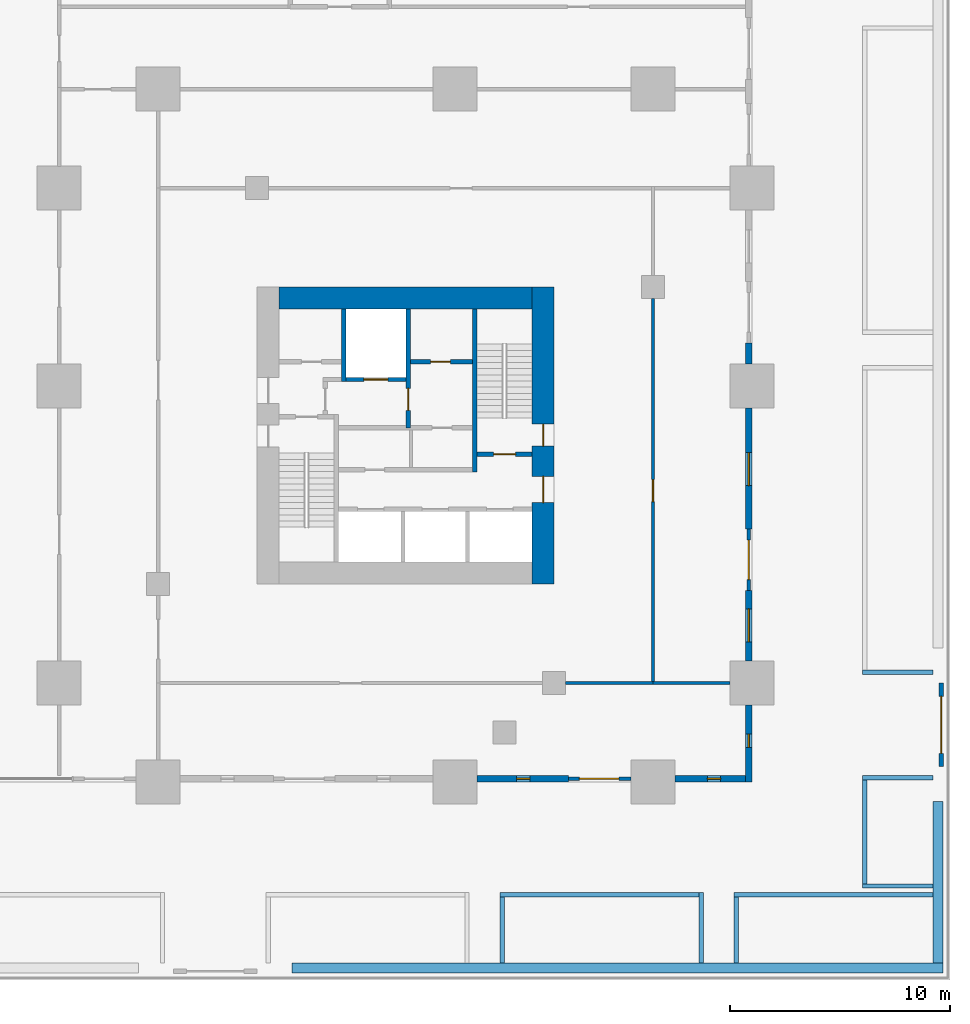
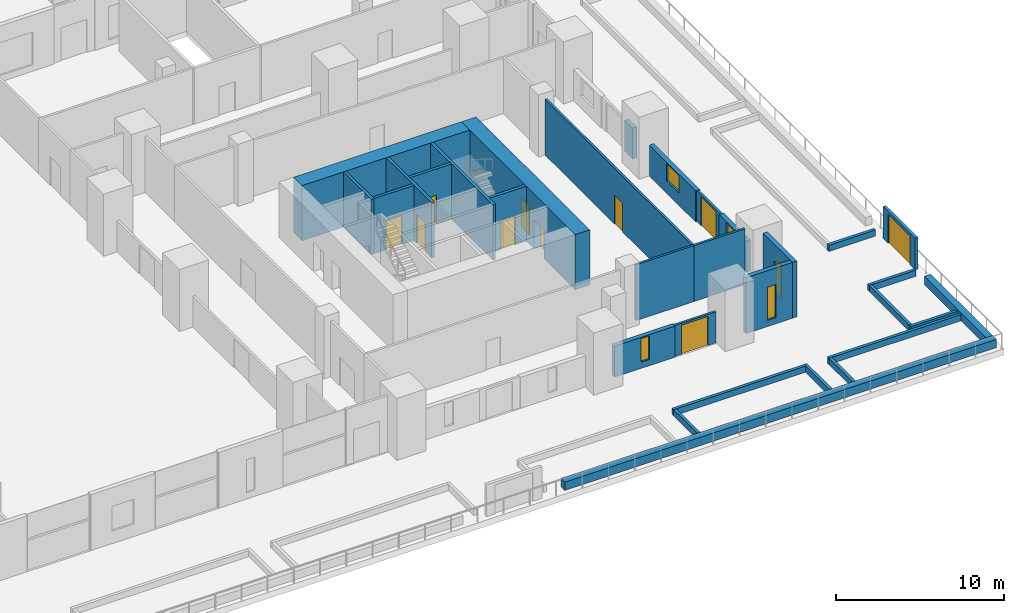
# One storey, part 22 of 26: 31 walls, 10 doors, 5 windows, 15 openings.
"""IFC4 building model written with IfcOpenShell, lengths in metres."""

from ifc_helpers import new_model, si_unit, direction, frame, frame_2d, origin, place, context, subcontext, project, spatial, rectangle, extrude, material, layer, layer_set, type_object, element, fill, save


model = new_model("IFC4")

# Units and contexts
model_context = context("Model", 3, precision=1e-05, world=origin(), true_north=direction((0.0, 1.0)))
body_context = subcontext(model_context, "Body", "Model", "MODEL_VIEW")
ifc_project = project(units=[si_unit("LENGTHUNIT", "METRE"), si_unit("AREAUNIT", "SQUARE_METRE"), si_unit("VOLUMEUNIT", "CUBIC_METRE"), si_unit("PLANEANGLEUNIT", "RADIAN"), si_unit("MASSUNIT", "GRAM", prefix="KILO")], contexts=[model_context])

# Site, building, storey
site_placement = place(None, origin())
site = spatial("IfcSite", under=ifc_project, at=site_placement, CompositionType="ELEMENT")
building_placement = place(site_placement, origin())
building = spatial("IfcBuilding", under=site, at=building_placement, Name="Altepetl Exchange Towers", CompositionType="ELEMENT")
storey_placement = place(building_placement, frame((0.0, 0.0, 16.5)))
storey = spatial("IfcBuildingStorey", under=building, at=storey_placement, Name="L03 Podium terrace", CompositionType="ELEMENT", Elevation=16.5)

# Wall, openings, doors
ifc_material_1 = material(Name="Concrete C70/85", Category="concrete")
ifc_layer_1 = layer(ifc_material_1, 1.0)
ifc_layer_set_1 = layer_set([ifc_layer_1], Name="Concrete C70/85")
wall_type_1 = type_object("IfcWallType", Name="Core wall 1000 reinforced concrete", PredefinedType="SHEAR", material=ifc_layer_set_1)
wall_1_placement = place(storey_placement, frame((116.5, 36.0, 0.0), z_axis=(0.0, 0.0, 1.0), x_axis=(0.0, 1.0, 0.0)))
wall_1 = element("IfcWall", 1, at=wall_1_placement, inside=storey, type_object=wall_type_1, Name="wall:B:L03:K-coreE", PredefinedType="SHEAR", context=body_context, shape_type="SweptSolid", body=[
    extrude(rectangle(XDim=13.5, YDim=1.0, at=frame_2d((6.75, 0.0))), origin(), (0.0, 0.0, 1.0), 4.0),
])
opening_1_placement = place(wall_1_placement, frame((3.699951171875, 0.0, 0.0)))
opening_1 = element("IfcOpeningElement", 2, at=opening_1_placement, cuts=wall_1, Name="Opening L03.B61", PredefinedType="OPENING", context=body_context, shape_type="SweptSolid", body=[
    extrude(rectangle(XDim=1.199951171875, YDim=2.10009765625, at=frame_2d((0.60009765625, 1.050048828125))), frame((0.0, 0.510009765625, 0.0), z_axis=(0.0, -1.0, 0.0), x_axis=(1.0, 0.0, 0.0)), (0.0, 0.0, 1.0), 1.02001953125),
])
opening_2_placement = place(wall_1_placement, frame((6.27490234375, 0.0, 0.0)))
opening_2 = element("IfcOpeningElement", 3, at=opening_2_placement, cuts=wall_1, Name="Opening L03.B65", PredefinedType="OPENING", context=body_context, shape_type="SweptSolid", body=[
    extrude(rectangle(XDim=1.0, YDim=2.10009765625, at=frame_2d((0.5, 1.050048828125))), frame((0.0, 0.510009765625, 0.0), z_axis=(0.0, -1.0, 0.0), x_axis=(1.0, 0.0, 0.0)), (0.0, 0.0, 1.0), 1.02001953125),
])
ifc_material_2 = material(Name="Steel and timber fire door", Category="steel")
door_type_1 = type_object("IfcDoorType", Name="Fire door 1000 x 2100 stair and lobby", OperationType="SINGLE_SWING_LEFT", PredefinedType="DOOR", material=ifc_material_2)
door_1_placement = place(opening_2_placement, origin())
door_1 = element("IfcDoor", 4, at=door_1_placement, inside=storey, type_object=door_type_1, Name="door:B:L03:K-dS2x", OperationType="SINGLE_SWING_LEFT", OverallHeight=2.10009765625, OverallWidth=1.0, PredefinedType="DOOR", context=body_context, shape_type="SweptSolid", body=[
    extrude(rectangle(XDim=1.0, YDim=2.10009765625, at=frame_2d((0.5, 1.050048828125))), frame((0.0, 0.02490234375, 0.0), z_axis=(0.0, -1.0, 0.0), x_axis=(1.0, 0.0, 0.0)), (0.0, 0.0, 1.0), 0.050048828125),
])
fill(opening_2, door_1)
door_type_2 = type_object("IfcDoorType", Name="Fire door 1200 x 2100 lobby entry", OperationType="SINGLE_SWING_LEFT", PredefinedType="DOOR", material=ifc_material_2)
door_2_placement = place(opening_1_placement, origin())
door_2 = element("IfcDoor", 5, at=door_2_placement, inside=storey, type_object=door_type_2, Name="door:B:L03:K-dLSE", OperationType="SINGLE_SWING_RIGHT", OverallHeight=2.10009765625, OverallWidth=1.199951171875, PredefinedType="DOOR", context=body_context, shape_type="SweptSolid", body=[
    extrude(rectangle(XDim=1.199951171875, YDim=2.10009765625, at=frame_2d((0.60009765625, 1.050048828125))), frame((0.0, 0.02490234375, 0.0), z_axis=(0.0, -1.0, 0.0), x_axis=(1.0, 0.0, 0.0)), (0.0, 0.0, 1.0), 0.050048828125),
])
fill(opening_1, door_2)

# Wall
wall_2_placement = place(storey_placement, frame((104.5, 49.0, 0.0)))
element("IfcWall", 6, at=wall_2_placement, inside=storey, type_object=wall_type_1, Name="wall:B:L03:K-coreN", PredefinedType="SHEAR", context=body_context, shape_type="SweptSolid", body=[
    extrude(rectangle(XDim=11.5, YDim=1.0, at=frame_2d((5.75, 0.0))), origin(), (0.0, 0.0, 1.0), 4.0),
])

# Wall, opening, door
ifc_material_3 = material(Name="Reinforced concrete C35/45", Category="concrete")
ifc_layer_2 = layer(ifc_material_3, 0.199951171875)
ifc_layer_set_2 = layer_set([ifc_layer_2], Name="Reinforced concrete C35/45")
wall_type_2 = type_object("IfcWallType", Name="Garden gate screen wall 200", PredefinedType="SOLIDWALL", material=ifc_layer_set_2)
wall_3_placement = place(storey_placement, frame((134.60009765625, 27.699951171875, 0.0), z_axis=(0.0, 0.0, 1.0), x_axis=(0.0, 1.0, 0.0)))
wall_3 = element("IfcWall", 7, at=wall_3_placement, inside=storey, type_object=wall_type_2, Name="wall:P:L03:gateR6", PredefinedType="SOLIDWALL", context=body_context, shape_type="SweptSolid", body=[
    extrude(rectangle(XDim=3.800048828125, YDim=0.199951171875, at=frame_2d((1.89990234375, 0.0))), origin(), (0.0, 0.0, 1.0), 2.300048828125),
])
opening_3_placement = place(wall_3_placement, frame((0.60009765625, 0.0, 0.0)))
opening_3 = element("IfcOpeningElement", 8, at=opening_3_placement, cuts=wall_3, Name="Opening L03.P025", PredefinedType="OPENING", context=body_context, shape_type="SweptSolid", body=[
    extrude(rectangle(XDim=2.60009765625, YDim=2.10009765625, at=frame_2d((1.300048828125, 1.050048828125))), frame((0.0, 0.10986328125, 0.0), z_axis=(0.0, -1.0, 0.0), x_axis=(1.0, 0.0, 0.0)), (0.0, 0.0, 1.0), 0.219970703125),
])
ifc_material_4 = material(Name="Painted steel bars and timber", Category="steel")
door_type_3 = type_object("IfcDoorType", Name="Garden gate 2600 x 2100 double leaf", OperationType="DOUBLE_DOOR_SINGLE_SWING", PredefinedType="GATE", material=ifc_material_4)
door_3_placement = place(opening_3_placement, frame((2.60009765625, 0.0, 0.0), x_axis=(-1.0, 0.0, 0.0)))
door_3 = element("IfcDoor", 9, at=door_3_placement, inside=storey, type_object=door_type_3, Name="door:P:L03:025", OperationType="DOUBLE_DOOR_SINGLE_SWING", OverallHeight=2.10009765625, OverallWidth=2.60009765625, PredefinedType="GATE", context=body_context, shape_type="SweptSolid", body=[
    extrude(rectangle(XDim=2.60009765625, YDim=2.10009765625, at=frame_2d((1.300048828125, 1.050048828125))), frame((0.0, 0.02490234375, 0.0), z_axis=(0.0, -1.0, 0.0), x_axis=(1.0, 0.0, 0.0)), (0.0, 0.0, 1.0), 0.050048828125),
])
fill(opening_3, door_3)

ifc_material_5 = material(Name="Aluminium composite cladding", Category="aluminium")
ifc_layer_3 = layer(ifc_material_5, 0.14990234375)
ifc_layer_set_3 = layer_set([ifc_layer_3], Name="Aluminium composite cladding")
wall_type_3 = type_object("IfcWallType", Name="Infill wall 150 aluminium panel", PredefinedType="SOLIDWALL", material=ifc_layer_set_3)
wall_4_placement = place(storey_placement, frame((117.64990234375, 27.14990234375, 0.0)))
wall_4 = element("IfcWall", 10, at=wall_4_placement, inside=storey, type_object=wall_type_3, Name="Door bay wall", PredefinedType="SOLIDWALL", context=body_context, shape_type="SweptSolid", body=[
    extrude(rectangle(XDim=2.85009765625, YDim=0.14990234375, at=frame_2d((1.425048828125, 0.0))), origin(), (0.0, 0.0, 1.0), 2.25),
])
opening_4_placement = place(wall_4_placement, frame((0.5, 0.0, 0.0)))
opening_4 = element("IfcOpeningElement", 11, at=opening_4_placement, cuts=wall_4, Name="Opening L03.E13", PredefinedType="OPENING", context=body_context, shape_type="SweptSolid", body=[
    extrude(rectangle(XDim=1.800048828125, YDim=2.10009765625, at=frame_2d((0.89990234375, 1.050048828125))), frame((0.0, 0.0849609375, 0.0), z_axis=(0.0, -1.0, 0.0), x_axis=(1.0, 0.0, 0.0)), (0.0, 0.0, 1.0), 0.169921875),
])
ifc_material_6 = material(Name="Aluminium 6063-T6 and glass", Category="aluminium")
door_type_4 = type_object("IfcDoorType", Name="Glazed door pair 1800x2100", OperationType="DOUBLE_DOOR_DOUBLE_SWING", PredefinedType="NOTDEFINED", material=ifc_material_6)
door_4_placement = place(opening_4_placement, frame((1.800048828125, 0.0, 0.0), x_axis=(-1.0, 0.0, 0.0)))
door_4 = element("IfcDoor", 12, at=door_4_placement, inside=storey, type_object=door_type_4, Name="Terrace door", OperationType="DOUBLE_DOOR_DOUBLE_SWING", OverallHeight=2.10009765625, OverallWidth=1.800048828125, PredefinedType="NOTDEFINED", context=body_context, shape_type="SweptSolid", body=[
    extrude(rectangle(XDim=1.800048828125, YDim=2.10009765625, at=frame_2d((0.89990234375, 1.050048828125))), frame((0.0, 0.02490234375, 0.0), z_axis=(0.0, -1.0, 0.0), x_axis=(1.0, 0.0, 0.0)), (0.0, 0.0, 1.0), 0.050048828125),
])
fill(opening_4, door_4)

wall_5_placement = place(storey_placement, frame((125.85009765625, 35.699951171875, 0.0), z_axis=(0.0, 0.0, 1.0), x_axis=(0.0, 1.0, 0.0)))
wall_5 = element("IfcWall", 13, at=wall_5_placement, inside=storey, type_object=wall_type_3, Name="Door bay wall", PredefinedType="SOLIDWALL", context=body_context, shape_type="SweptSolid", body=[
    extrude(rectangle(XDim=2.800048828125, YDim=0.14990234375, at=frame_2d((1.39990234375, 0.0))), origin(), (0.0, 0.0, 1.0), 2.25),
])
opening_5_placement = place(wall_5_placement, frame((0.5, 0.0, 0.0)))
opening_5 = element("IfcOpeningElement", 14, at=opening_5_placement, cuts=wall_5, Name="Opening L03.E14", PredefinedType="OPENING", context=body_context, shape_type="SweptSolid", body=[
    extrude(rectangle(XDim=1.800048828125, YDim=2.10009765625, at=frame_2d((0.89990234375, 1.050048828125))), frame((0.0, 0.0849609375, 0.0), z_axis=(0.0, -1.0, 0.0), x_axis=(1.0, 0.0, 0.0)), (0.0, 0.0, 1.0), 0.169921875),
])
door_5_placement = place(opening_5_placement, frame((1.800048828125, 0.0, 0.0), x_axis=(-1.0, 0.0, 0.0)))
door_5 = element("IfcDoor", 15, at=door_5_placement, inside=storey, type_object=door_type_4, Name="Terrace door", OperationType="DOUBLE_DOOR_DOUBLE_SWING", OverallHeight=2.10009765625, OverallWidth=1.800048828125, PredefinedType="NOTDEFINED", context=body_context, shape_type="SweptSolid", body=[
    extrude(rectangle(XDim=1.800048828125, YDim=2.10009765625, at=frame_2d((0.89990234375, 1.050048828125))), frame((0.0, 0.02490234375, 0.0), z_axis=(0.0, -1.0, 0.0), x_axis=(1.0, 0.0, 0.0)), (0.0, 0.0, 1.0), 0.050048828125),
])
fill(opening_5, door_5)

# Walls
ifc_material_7 = material(Name="Concrete C30/37", Category="concrete")
ifc_layer_4 = layer(ifc_material_7, 0.449951171875)
ifc_layer_set_4 = layer_set([ifc_layer_4], Name="Concrete C30/37")
wall_type_4 = type_object("IfcWallType", Name="Planter wall 450 concrete", PredefinedType="SOLIDWALL", material=ifc_layer_set_4)
wall_6_placement = place(storey_placement, frame((105.092529296875, 18.550048828125, 0.0)))
element("IfcWall", 16, at=wall_6_placement, inside=storey, type_object=wall_type_4, Name="Planter bed wall", PredefinedType="SOLIDWALL", context=body_context, shape_type="SweptSolid", body=[
    extrude(rectangle(XDim=29.58251953125, YDim=0.449951171875, at=frame_2d((14.791259765625, 0.0))), origin(), (0.0, 0.0, 1.0), 0.60009765625),
])
wall_7_placement = place(storey_placement, frame((134.449951171875, 18.77490234375, 0.0), z_axis=(0.0, 0.0, 1.0), x_axis=(0.0, 1.0, 0.0)))
element("IfcWall", 17, at=wall_7_placement, inside=storey, type_object=wall_type_4, Name="Planter bed wall", PredefinedType="SOLIDWALL", context=body_context, shape_type="SweptSolid", body=[
    extrude(rectangle(XDim=7.33251953125, YDim=0.449951171875, at=frame_2d((3.666259765625, 0.0))), origin(), (0.0, 0.0, 1.0), 0.60009765625),
])
ifc_layer_5 = layer(ifc_material_3, 0.199951171875)
ifc_layer_set_5 = layer_set([ifc_layer_5], Name="Reinforced concrete C35/45")
wall_type_5 = type_object("IfcWallType", Name="Planting bed curb 200", PredefinedType="SOLIDWALL", material=ifc_layer_set_5)
wall_8_placement = place(storey_placement, frame((123.683349609375, 18.77490234375, 0.0), z_axis=(0.0, 0.0, 1.0), x_axis=(0.0, 1.0, 0.0)))
element("IfcWall", 18, at=wall_8_placement, inside=storey, type_object=wall_type_5, Name="wall:P:L03:CB02e", PredefinedType="SOLIDWALL", context=body_context, shape_type="SweptSolid", body=[
    extrude(rectangle(XDim=3.2001953125, YDim=0.199951171875, at=frame_2d((1.60009765625, 0.0))), origin(), (0.0, 0.0, 1.0), 0.449951171875),
])
wall_9_placement = place(storey_placement, frame((114.541748046875, 21.875, 0.0)))
element("IfcWall", 19, at=wall_9_placement, inside=storey, type_object=wall_type_5, Name="wall:P:L03:CB02n", PredefinedType="SOLIDWALL", context=body_context, shape_type="SweptSolid", body=[
    extrude(rectangle(XDim=9.04150390625, YDim=0.199951171875, at=frame_2d((4.520751953125, 0.0))), origin(), (0.0, 0.0, 1.0), 0.449951171875),
])
wall_10_placement = place(storey_placement, frame((114.6416015625, 18.77490234375, 0.0), z_axis=(0.0, 0.0, 1.0), x_axis=(0.0, 1.0, 0.0)))
element("IfcWall", 20, at=wall_10_placement, inside=storey, type_object=wall_type_5, Name="wall:P:L03:CB02w", PredefinedType="SOLIDWALL", context=body_context, shape_type="SweptSolid", body=[
    extrude(rectangle(XDim=3.0, YDim=0.199951171875, at=frame_2d((1.5, 0.0))), origin(), (0.0, 0.0, 1.0), 0.449951171875),
])
wall_11_placement = place(storey_placement, frame((125.183349609375, 21.875, 0.0)))
element("IfcWall", 21, at=wall_11_placement, inside=storey, type_object=wall_type_5, Name="wall:P:L03:CB03n", PredefinedType="SOLIDWALL", context=body_context, shape_type="SweptSolid", body=[
    extrude(rectangle(XDim=9.041748046875, YDim=0.199951171875, at=frame_2d((4.52099609375, 0.0))), origin(), (0.0, 0.0, 1.0), 0.449951171875),
])
wall_12_placement = place(storey_placement, frame((125.283203125, 18.77490234375, 0.0), z_axis=(0.0, 0.0, 1.0), x_axis=(0.0, 1.0, 0.0)))
element("IfcWall", 22, at=wall_12_placement, inside=storey, type_object=wall_type_5, Name="wall:P:L03:CB03w", PredefinedType="SOLIDWALL", context=body_context, shape_type="SweptSolid", body=[
    extrude(rectangle(XDim=3.0, YDim=0.199951171875, at=frame_2d((1.5, 0.0))), origin(), (0.0, 0.0, 1.0), 0.449951171875),
])
for number, where, name in (
    (23, (131.02490234375, 27.199951171875, 0.0), "wall:P:L03:CB23n"),
    (24, (131.02490234375, 22.27490234375, 0.0), "wall:P:L03:CB23s"),
):
    element("IfcWall", number, at=place(storey_placement, frame(where)), inside=storey, type_object=wall_type_5, Name=name, PredefinedType="SOLIDWALL", context=body_context, shape_type="SweptSolid", body=[
        extrude(rectangle(XDim=3.2001953125, YDim=0.199951171875, at=frame_2d((1.60009765625, 0.0))), origin(), (0.0, 0.0, 1.0), 0.449951171875),
    ])
wall_13_placement = place(storey_placement, frame((131.125, 22.375, 0.0), z_axis=(0.0, 0.0, 1.0), x_axis=(0.0, 1.0, 0.0)))
element("IfcWall", 25, at=wall_13_placement, inside=storey, type_object=wall_type_5, Name="wall:P:L03:CB23w", PredefinedType="SOLIDWALL", context=body_context, shape_type="SweptSolid", body=[
    extrude(rectangle(XDim=4.72509765625, YDim=0.199951171875, at=frame_2d((2.362548828125, 0.0))), origin(), (0.0, 0.0, 1.0), 0.449951171875),
])
wall_14_placement = place(storey_placement, frame((131.02490234375, 32.0, 0.0)))
element("IfcWall", 26, at=wall_14_placement, inside=storey, type_object=wall_type_5, Name="wall:P:L03:CB24s", PredefinedType="SOLIDWALL", context=body_context, shape_type="SweptSolid", body=[
    extrude(rectangle(XDim=3.2001953125, YDim=0.199951171875, at=frame_2d((1.60009765625, 0.0))), origin(), (0.0, 0.0, 1.0), 0.449951171875),
])
ifc_material_8 = material(Name="Gypsum board on steel studs", Category="steel")
ifc_layer_6 = layer(ifc_material_8, 0.14990234375)
ifc_layer_set_6 = layer_set([ifc_layer_6], Name="Gypsum board on steel studs")
wall_type_6 = type_object("IfcWallType", Name="Podium partition 150", PredefinedType="PARTITIONING", material=ifc_layer_set_6)
wall_15_placement = place(storey_placement, frame((117.52001953125, 31.5, 0.0)))
element("IfcWall", 27, at=wall_15_placement, inside=storey, type_object=wall_type_6, Name="wall:P:L03:P039", PredefinedType="PARTITIONING", context=body_context, shape_type="SweptSolid", body=[
    extrude(rectangle(XDim=4.054931640625, YDim=0.14990234375, at=frame_2d((2.02734375, 0.0))), origin(), (0.0, 0.0, 1.0), 4.050048828125),
])

# Wall, opening, door
wall_16_placement = place(storey_placement, frame((121.5, 31.574951171875, 0.0), z_axis=(0.0, 0.0, 1.0), x_axis=(0.0, 1.0, 0.0)))
wall_16 = element("IfcWall", 28, at=wall_16_placement, inside=storey, type_object=wall_type_6, Name="wall:P:L03:P040", PredefinedType="PARTITIONING", context=body_context, shape_type="SweptSolid", body=[
    extrude(rectangle(XDim=17.405029296875, YDim=0.14990234375, at=frame_2d((8.70263671875, 0.0))), origin(), (0.0, 0.0, 1.0), 4.050048828125),
])
opening_6_placement = place(wall_16_placement, frame((8.175048828125, 0.0, 0.0)))
opening_6 = element("IfcOpeningElement", 29, at=opening_6_placement, cuts=wall_16, Name="Opening L03.P008", PredefinedType="OPENING", context=body_context, shape_type="SweptSolid", body=[
    extrude(rectangle(XDim=1.0, YDim=2.10009765625, at=frame_2d((0.5, 1.050048828125))), frame((0.0, 0.0849609375, 0.0), z_axis=(0.0, -1.0, 0.0), x_axis=(1.0, 0.0, 0.0)), (0.0, 0.0, 1.0), 0.169921875),
])
door_type_5 = type_object("IfcDoorType", Name="Podium fire door 1000 x 2100 single leaf", OperationType="SINGLE_SWING_LEFT", PredefinedType="DOOR", material=ifc_material_2)
door_6_placement = place(opening_6_placement, frame((1.0, 0.0, 0.0), x_axis=(-1.0, 0.0, 0.0)))
door_6 = element("IfcDoor", 30, at=door_6_placement, inside=storey, type_object=door_type_5, Name="door:P:L03:008", OperationType="SINGLE_SWING_LEFT", OverallHeight=2.10009765625, OverallWidth=1.0, PredefinedType="DOOR", context=body_context, shape_type="SweptSolid", body=[
    extrude(rectangle(XDim=1.0, YDim=2.10009765625, at=frame_2d((0.5, 1.050048828125))), frame((0.0, 0.02490234375, 0.0), z_axis=(0.0, -1.0, 0.0), x_axis=(1.0, 0.0, 0.0)), (0.0, 0.0, 1.0), 0.050048828125),
])
fill(opening_6, door_6)

# Walls
wall_17_placement = place(storey_placement, frame((121.5, 31.5, 0.0)))
element("IfcWall", 31, at=wall_17_placement, inside=storey, type_object=wall_type_6, Name="wall:P:L03:P044", PredefinedType="PARTITIONING", context=body_context, shape_type="SweptSolid", body=[
    extrude(rectangle(XDim=3.5048828125, YDim=0.14990234375, at=frame_2d((1.75244140625, 0.0))), origin(), (0.0, 0.0, 1.0), 4.050048828125),
])
ifc_material_9 = material(Name="Concrete C40/50", Category="concrete")
ifc_layer_7 = layer(ifc_material_9, 0.199951171875)
ifc_layer_set_7 = layer_set([ifc_layer_7], Name="Concrete C40/50")
wall_type_7 = type_object("IfcWallType", Name="Shaft wall 200 reinforced concrete", PredefinedType="SHEAR", material=ifc_layer_set_7)
wall_18_placement = place(storey_placement, frame((107.433349609375, 48.5, 0.0), z_axis=(0.0, 0.0, 1.0), x_axis=(0.0, -1.0, 0.0)))
element("IfcWall", 32, at=wall_18_placement, inside=storey, type_object=wall_type_7, Name="wall:B:L03:K-divN1", PredefinedType="SHEAR", context=body_context, shape_type="SweptSolid", body=[
    extrude(rectangle(XDim=3.300048828125, YDim=0.199951171875, at=frame_2d((1.64990234375, 0.0))), origin(), (0.0, 0.0, 1.0), 4.0),
])

# Wall, opening, door
wall_19_placement = place(storey_placement, frame((110.36669921875, 48.5, 0.0), z_axis=(0.0, 0.0, 1.0), x_axis=(0.0, -1.0, 0.0)))
wall_19 = element("IfcWall", 33, at=wall_19_placement, inside=storey, type_object=wall_type_7, Name="wall:B:L03:K-divN2", PredefinedType="SHEAR", context=body_context, shape_type="SweptSolid", body=[
    extrude(rectangle(XDim=5.39990234375, YDim=0.199951171875, at=frame_2d((2.699951171875, 0.0))), origin(), (0.0, 0.0, 1.0), 4.0),
])
opening_7_placement = place(wall_19_placement, frame((3.60009765625, 0.0, 0.0)))
opening_7 = element("IfcOpeningElement", 34, at=opening_7_placement, cuts=wall_19, Name="Opening L03.B66", PredefinedType="OPENING", context=body_context, shape_type="SweptSolid", body=[
    extrude(rectangle(XDim=1.0, YDim=2.10009765625, at=frame_2d((0.5, 1.050048828125))), frame((0.0, 0.10986328125, 0.0), z_axis=(0.0, -1.0, 0.0), x_axis=(1.0, 0.0, 0.0)), (0.0, 0.0, 1.0), 0.219970703125),
])
door_7_placement = place(opening_7_placement, frame((1.0, 0.0, 0.0), x_axis=(-1.0, 0.0, 0.0)))
door_7 = element("IfcDoor", 35, at=door_7_placement, inside=storey, type_object=door_type_1, Name="door:B:L03:K-dffE", OperationType="SINGLE_SWING_RIGHT", OverallHeight=2.10009765625, OverallWidth=1.0, PredefinedType="DOOR", context=body_context, shape_type="SweptSolid", body=[
    extrude(rectangle(XDim=1.0, YDim=2.10009765625, at=frame_2d((0.5, 1.050048828125))), frame((0.0, 0.02490234375, 0.0), z_axis=(0.0, -1.0, 0.0), x_axis=(1.0, 0.0, 0.0)), (0.0, 0.0, 1.0), 0.050048828125),
])
fill(opening_7, door_7)

wall_20_placement = place(storey_placement, frame((110.466796875, 46.10009765625, 0.0)))
wall_20 = element("IfcWall", 36, at=wall_20_placement, inside=storey, type_object=wall_type_7, Name="wall:B:L03:K-frontNb", PredefinedType="SHEAR", context=body_context, shape_type="SweptSolid", body=[
    extrude(rectangle(XDim=2.833251953125, YDim=0.199951171875, at=frame_2d((1.41650390625, 0.0))), origin(), (0.0, 0.0, 1.0), 4.0),
])
opening_8_placement = place(wall_20_placement, frame((0.91650390625, 0.0, 0.0)))
opening_8 = element("IfcOpeningElement", 37, at=opening_8_placement, cuts=wall_20, Name="Opening L03.B69", PredefinedType="OPENING", context=body_context, shape_type="SweptSolid", body=[
    extrude(rectangle(XDim=0.89990234375, YDim=2.10009765625, at=frame_2d((0.449951171875, 1.050048828125))), frame((0.0, 0.10986328125, 0.0), z_axis=(0.0, -1.0, 0.0), x_axis=(1.0, 0.0, 0.0)), (0.0, 0.0, 1.0), 0.219970703125),
])
door_type_6 = type_object("IfcDoorType", Name="Fire door 900 x 2100 service room", OperationType="SINGLE_SWING_LEFT", PredefinedType="DOOR", material=ifc_material_2)
door_8_placement = place(opening_8_placement, origin())
door_8 = element("IfcDoor", 38, at=door_8_placement, inside=storey, type_object=door_type_6, Name="door:B:L03:K-dslotN2", OperationType="SINGLE_SWING_RIGHT", OverallHeight=2.10009765625, OverallWidth=0.89990234375, PredefinedType="DOOR", context=body_context, shape_type="SweptSolid", body=[
    extrude(rectangle(XDim=0.89990234375, YDim=2.10009765625, at=frame_2d((0.449951171875, 1.050048828125))), frame((0.0, 0.02490234375, 0.0), z_axis=(0.0, -1.0, 0.0), x_axis=(1.0, 0.0, 0.0)), (0.0, 0.0, 1.0), 0.050048828125),
])
fill(opening_8, door_8)

wall_21_placement = place(storey_placement, frame((107.533203125, 45.300048828125, 0.0)))
wall_21 = element("IfcWall", 39, at=wall_21_placement, inside=storey, type_object=wall_type_7, Name="wall:B:L03:K-frontNd", PredefinedType="SHEAR", context=body_context, shape_type="SweptSolid", body=[
    extrude(rectangle(XDim=2.7333984375, YDim=0.199951171875, at=frame_2d((1.36669921875, 0.0))), origin(), (0.0, 0.0, 1.0), 4.0),
])
opening_9_placement = place(wall_21_placement, frame((0.816650390625, 0.0, 0.0)))
opening_9 = element("IfcOpeningElement", 40, at=opening_9_placement, cuts=wall_21, Name="Opening L03.B72", PredefinedType="OPENING", context=body_context, shape_type="SweptSolid", body=[
    extrude(rectangle(XDim=1.10009765625, YDim=2.10009765625, at=frame_2d((0.550048828125, 1.050048828125))), frame((0.0, 0.10986328125, 0.0), z_axis=(0.0, -1.0, 0.0), x_axis=(1.0, 0.0, 0.0)), (0.0, 0.0, 1.0), 0.219970703125),
])
ifc_material_10 = material(Name="Stainless steel", Category="steel")
door_type_7 = type_object("IfcDoorType", Name="Lift landing door 1100 x 2100", OperationType="SLIDING_TO_LEFT", PredefinedType="DOOR", material=ifc_material_10)
door_9_placement = place(opening_9_placement, origin())
door_9 = element("IfcDoor", 41, at=door_9_placement, inside=storey, type_object=door_type_7, Name="Landing door FFL1", OperationType="SLIDING_TO_LEFT", OverallHeight=2.10009765625, OverallWidth=1.10009765625, PredefinedType="DOOR", context=body_context, shape_type="SweptSolid", body=[
    extrude(rectangle(XDim=1.10009765625, YDim=2.10009765625, at=frame_2d((0.550048828125, 1.050048828125))), frame((0.0, 0.02490234375, 0.0), z_axis=(0.0, -1.0, 0.0), x_axis=(1.0, 0.0, 0.0)), (0.0, 0.0, 1.0), 0.050048828125),
])
fill(opening_9, door_9)

ifc_layer_8 = layer(ifc_material_9, 0.199951171875)
ifc_layer_set_8 = layer_set([ifc_layer_8], Name="Concrete C40/50")
wall_type_8 = type_object("IfcWallType", Name="Stair wall 200 reinforced concrete", PredefinedType="SHEAR", material=ifc_layer_set_8)
wall_22_placement = place(storey_placement, frame((113.5, 41.89990234375, 0.0)))
wall_22 = element("IfcWall", 42, at=wall_22_placement, inside=storey, type_object=wall_type_8, Name="wall:B:L03:K-stS2S", PredefinedType="SHEAR", context=body_context, shape_type="SweptSolid", body=[
    extrude(rectangle(XDim=2.5, YDim=0.199951171875, at=frame_2d((1.25, 0.0))), origin(), (0.0, 0.0, 1.0), 4.0),
])
opening_10_placement = place(wall_22_placement, frame((0.75, 0.0, 0.0)))
opening_10 = element("IfcOpeningElement", 43, at=opening_10_placement, cuts=wall_22, Name="Opening L03.B64", PredefinedType="OPENING", context=body_context, shape_type="SweptSolid", body=[
    extrude(rectangle(XDim=1.0, YDim=2.10009765625, at=frame_2d((0.5, 1.050048828125))), frame((0.0, 0.10986328125, 0.0), z_axis=(0.0, -1.0, 0.0), x_axis=(1.0, 0.0, 0.0)), (0.0, 0.0, 1.0), 0.219970703125),
])
door_10_placement = place(opening_10_placement, origin())
door_10 = element("IfcDoor", 44, at=door_10_placement, inside=storey, type_object=door_type_1, Name="door:B:L03:K-dS2in", OperationType="SINGLE_SWING_RIGHT", OverallHeight=2.10009765625, OverallWidth=1.0, PredefinedType="DOOR", context=body_context, shape_type="SweptSolid", body=[
    extrude(rectangle(XDim=1.0, YDim=2.10009765625, at=frame_2d((0.5, 1.050048828125))), frame((0.0, 0.02490234375, 0.0), z_axis=(0.0, -1.0, 0.0), x_axis=(1.0, 0.0, 0.0)), (0.0, 0.0, 1.0), 0.050048828125),
])
fill(opening_10, door_10)

# Wall
wall_23_placement = place(storey_placement, frame((113.39990234375, 41.10009765625, 0.0), z_axis=(0.0, 0.0, 1.0), x_axis=(0.0, 1.0, 0.0)))
element("IfcWall", 45, at=wall_23_placement, inside=storey, type_object=wall_type_8, Name="wall:B:L03:K-stS2W", PredefinedType="SHEAR", context=body_context, shape_type="SweptSolid", body=[
    extrude(rectangle(XDim=7.39990234375, YDim=0.199951171875, at=frame_2d((3.699951171875, 0.0))), origin(), (0.0, 0.0, 1.0), 4.0),
])

# Wall, opening, window
ifc_material_11 = material(Name="Cantera limestone cladding", Category="masonry")
ifc_layer_9 = layer(ifc_material_11, 0.300048828125)
ifc_layer_set_9 = layer_set([ifc_layer_9], Name="Cantera limestone cladding")
wall_type_9 = type_object("IfcWallType", Name="Stone wall panel 300", PredefinedType="ELEMENTEDWALL", material=ifc_layer_set_9)
wall_24_placement = place(storey_placement, frame((113.5, 27.14990234375, 0.0)))
wall_24 = element("IfcWall", 46, at=wall_24_placement, inside=storey, type_object=wall_type_9, Name="Stone wall panel", PredefinedType="ELEMENTEDWALL", context=body_context, shape_type="SweptSolid", body=[
    extrude(rectangle(XDim=4.14990234375, YDim=0.300048828125, at=frame_2d((2.074951171875, 0.0))), origin(), (0.0, 0.0, 1.0), 2.25),
])
opening_11_placement = place(wall_24_placement, frame((1.800048828125, 0.0, 0.449951171875)))
opening_11 = element("IfcOpeningElement", 47, at=opening_11_placement, cuts=wall_24, Name="Opening W6", PredefinedType="OPENING", context=body_context, shape_type="SweptSolid", body=[
    extrude(rectangle(XDim=0.60009765625, YDim=1.699951171875, at=frame_2d((0.300048828125, 0.85009765625))), frame((0.0, 0.16015625, 0.0), z_axis=(0.0, -1.0, 0.0), x_axis=(1.0, 0.0, 0.0)), (0.0, 0.0, 1.0), 0.320068359375),
])
window_type_1 = type_object("IfcWindowType", Name="Tall slot window 600x1700", PartitioningType="SINGLE_PANEL", PredefinedType="WINDOW", material=ifc_material_6)
window_1_placement = place(opening_11_placement, origin())
window_1 = element("IfcWindow", 48, at=window_1_placement, inside=storey, type_object=window_type_1, Name="Window", OverallHeight=1.699951171875, OverallWidth=0.60009765625, PartitioningType="SINGLE_PANEL", PredefinedType="WINDOW", context=body_context, shape_type="SweptSolid", body=[
    extrude(rectangle(XDim=0.60009765625, YDim=1.699951171875, at=frame_2d((0.300048828125, 0.85009765625))), frame((0.0, 0.030029296875, 0.0), z_axis=(0.0, -1.0, 0.0), x_axis=(1.0, 0.0, 0.0)), (0.0, 0.0, 1.0), 0.06005859375),
])
fill(opening_11, window_1)

wall_25_placement = place(storey_placement, frame((122.5, 27.14990234375, 0.0)))
wall_25 = element("IfcWall", 49, at=wall_25_placement, inside=storey, type_object=wall_type_9, Name="Stone wall panel", PredefinedType="ELEMENTEDWALL", context=body_context, shape_type="SweptSolid", body=[
    extrude(rectangle(XDim=3.199951171875, YDim=0.300048828125, at=frame_2d((1.60009765625, 0.0))), origin(), (0.0, 0.0, 1.0), 4.050048828125),
])
opening_12_placement = place(wall_25_placement, frame((1.47509765625, 0.0, 0.449951171875)))
opening_12 = element("IfcOpeningElement", 50, at=opening_12_placement, cuts=wall_25, Name="Opening W3", PredefinedType="OPENING", context=body_context, shape_type="SweptSolid", body=[
    extrude(rectangle(XDim=0.60009765625, YDim=2.39990234375, at=frame_2d((0.300048828125, 1.199951171875))), frame((0.0, 0.16015625, 0.0), z_axis=(0.0, -1.0, 0.0), x_axis=(1.0, 0.0, 0.0)), (0.0, 0.0, 1.0), 0.320068359375),
])
window_type_2 = type_object("IfcWindowType", Name="Tall slot window 600x2400", PartitioningType="SINGLE_PANEL", PredefinedType="WINDOW", material=ifc_material_6)
window_2_placement = place(opening_12_placement, origin())
window_2 = element("IfcWindow", 51, at=window_2_placement, inside=storey, type_object=window_type_2, Name="Window", OverallHeight=2.39990234375, OverallWidth=0.60009765625, PartitioningType="SINGLE_PANEL", PredefinedType="WINDOW", context=body_context, shape_type="SweptSolid", body=[
    extrude(rectangle(XDim=0.60009765625, YDim=2.39990234375, at=frame_2d((0.300048828125, 1.199951171875))), frame((0.0, 0.030029296875, 0.0), z_axis=(0.0, -1.0, 0.0), x_axis=(1.0, 0.0, 0.0)), (0.0, 0.0, 1.0), 0.06005859375),
])
fill(opening_12, window_2)

wall_26_placement = place(storey_placement, frame((125.85009765625, 27.0, 0.0), z_axis=(0.0, 0.0, 1.0), x_axis=(0.0, 1.0, 0.0)))
wall_26 = element("IfcWall", 52, at=wall_26_placement, inside=storey, type_object=wall_type_9, Name="Stone wall panel", PredefinedType="ELEMENTEDWALL", context=body_context, shape_type="SweptSolid", body=[
    extrude(rectangle(XDim=3.5, YDim=0.300048828125, at=frame_2d((1.75, 0.0))), origin(), (0.0, 0.0, 1.0), 4.050048828125),
])
opening_13_placement = place(wall_26_placement, frame((1.574951171875, 0.0, 0.449951171875)))
opening_13 = element("IfcOpeningElement", 53, at=opening_13_placement, cuts=wall_26, Name="Opening W3", PredefinedType="OPENING", context=body_context, shape_type="SweptSolid", body=[
    extrude(rectangle(XDim=0.60009765625, YDim=2.39990234375, at=frame_2d((0.300048828125, 1.199951171875))), frame((0.0, 0.16015625, 0.0), z_axis=(0.0, -1.0, 0.0), x_axis=(1.0, 0.0, 0.0)), (0.0, 0.0, 1.0), 0.320068359375),
])
window_3_placement = place(opening_13_placement, origin())
window_3 = element("IfcWindow", 54, at=window_3_placement, inside=storey, type_object=window_type_2, Name="Window", OverallHeight=2.39990234375, OverallWidth=0.60009765625, PartitioningType="SINGLE_PANEL", PredefinedType="WINDOW", context=body_context, shape_type="SweptSolid", body=[
    extrude(rectangle(XDim=0.60009765625, YDim=2.39990234375, at=frame_2d((0.300048828125, 1.199951171875))), frame((0.0, 0.030029296875, 0.0), z_axis=(0.0, -1.0, 0.0), x_axis=(1.0, 0.0, 0.0)), (0.0, 0.0, 1.0), 0.06005859375),
])
fill(opening_13, window_3)

wall_27_placement = place(storey_placement, frame((125.85009765625, 32.5, 0.0), z_axis=(0.0, 0.0, 1.0), x_axis=(0.0, 1.0, 0.0)))
wall_27 = element("IfcWall", 55, at=wall_27_placement, inside=storey, type_object=wall_type_9, Name="Stone wall panel", PredefinedType="ELEMENTEDWALL", context=body_context, shape_type="SweptSolid", body=[
    extrude(rectangle(XDim=3.199951171875, YDim=0.300048828125, at=frame_2d((1.60009765625, 0.0))), origin(), (0.0, 0.0, 1.0), 2.25),
])
opening_14_placement = place(wall_27_placement, frame((0.875, 0.0, 0.89990234375)))
opening_14 = element("IfcOpeningElement", 56, at=opening_14_placement, cuts=wall_27, Name="Opening W5", PredefinedType="OPENING", context=body_context, shape_type="SweptSolid", body=[
    extrude(rectangle(XDim=1.5, YDim=1.25, at=frame_2d((0.75, 0.625))), frame((0.0, 0.16015625, 0.0), z_axis=(0.0, -1.0, 0.0), x_axis=(1.0, 0.0, 0.0)), (0.0, 0.0, 1.0), 0.320068359375),
])
ifc_material_12 = material(Name="Timber and glass", Category="wood")
window_type_3 = type_object("IfcWindowType", Name="Punched window 1500x1250", PartitioningType="SINGLE_PANEL", PredefinedType="WINDOW", material=ifc_material_12)
window_4_placement = place(opening_14_placement, origin())
window_4 = element("IfcWindow", 57, at=window_4_placement, inside=storey, type_object=window_type_3, Name="Window", OverallHeight=1.25, OverallWidth=1.5, PartitioningType="SINGLE_PANEL", PredefinedType="WINDOW", context=body_context, shape_type="SweptSolid", body=[
    extrude(rectangle(XDim=1.5, YDim=1.25, at=frame_2d((0.75, 0.625))), frame((0.0, 0.030029296875, 0.0), z_axis=(0.0, -1.0, 0.0), x_axis=(1.0, 0.0, 0.0)), (0.0, 0.0, 1.0), 0.06005859375),
])
fill(opening_14, window_4)

wall_28_placement = place(storey_placement, frame((125.85009765625, 38.5, 0.0), z_axis=(0.0, 0.0, 1.0), x_axis=(0.0, 1.0, 0.0)))
wall_28 = element("IfcWall", 58, at=wall_28_placement, inside=storey, type_object=wall_type_9, Name="Stone wall panel", PredefinedType="ELEMENTEDWALL", context=body_context, shape_type="SweptSolid", body=[
    extrude(rectangle(XDim=5.5, YDim=0.300048828125, at=frame_2d((2.75, 0.0))), origin(), (0.0, 0.0, 1.0), 2.25),
])
opening_15_placement = place(wall_28_placement, frame((1.97509765625, 0.0, 0.89990234375)))
opening_15 = element("IfcOpeningElement", 59, at=opening_15_placement, cuts=wall_28, Name="Opening W5", PredefinedType="OPENING", context=body_context, shape_type="SweptSolid", body=[
    extrude(rectangle(XDim=1.5, YDim=1.25, at=frame_2d((0.75, 0.625))), frame((0.0, 0.16015625, 0.0), z_axis=(0.0, -1.0, 0.0), x_axis=(1.0, 0.0, 0.0)), (0.0, 0.0, 1.0), 0.320068359375),
])
window_5_placement = place(opening_15_placement, origin())
window_5 = element("IfcWindow", 60, at=window_5_placement, inside=storey, type_object=window_type_3, Name="Window", OverallHeight=1.25, OverallWidth=1.5, PartitioningType="SINGLE_PANEL", PredefinedType="WINDOW", context=body_context, shape_type="SweptSolid", body=[
    extrude(rectangle(XDim=1.5, YDim=1.25, at=frame_2d((0.75, 0.625))), frame((0.0, 0.030029296875, 0.0), z_axis=(0.0, -1.0, 0.0), x_axis=(1.0, 0.0, 0.0)), (0.0, 0.0, 1.0), 0.06005859375),
])
fill(opening_15, window_5)

# Wall
wall_29_placement = place(storey_placement, frame((125.85009765625, 46.0, 0.0), z_axis=(0.0, 0.0, 1.0), x_axis=(0.0, 1.0, 0.0)))
element("IfcWall", 61, at=wall_29_placement, inside=storey, type_object=wall_type_9, Name="Stone wall panel", PredefinedType="ELEMENTEDWALL", context=body_context, shape_type="SweptSolid", body=[
    extrude(rectangle(XDim=0.949951171875, YDim=0.300048828125, at=frame_2d((0.47509765625, 0.0))), origin(), (0.0, 0.0, 1.0), 2.25),
])

save(model, "model.ifc")
